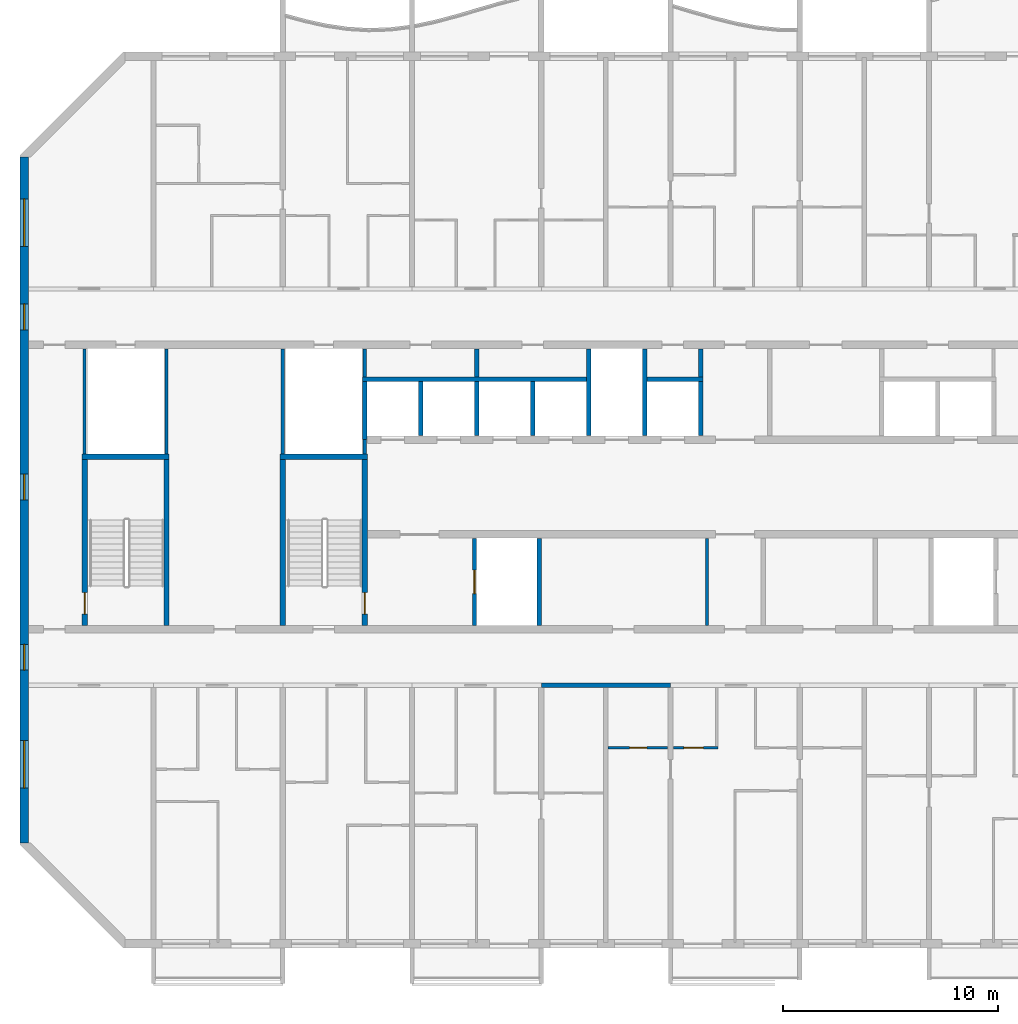
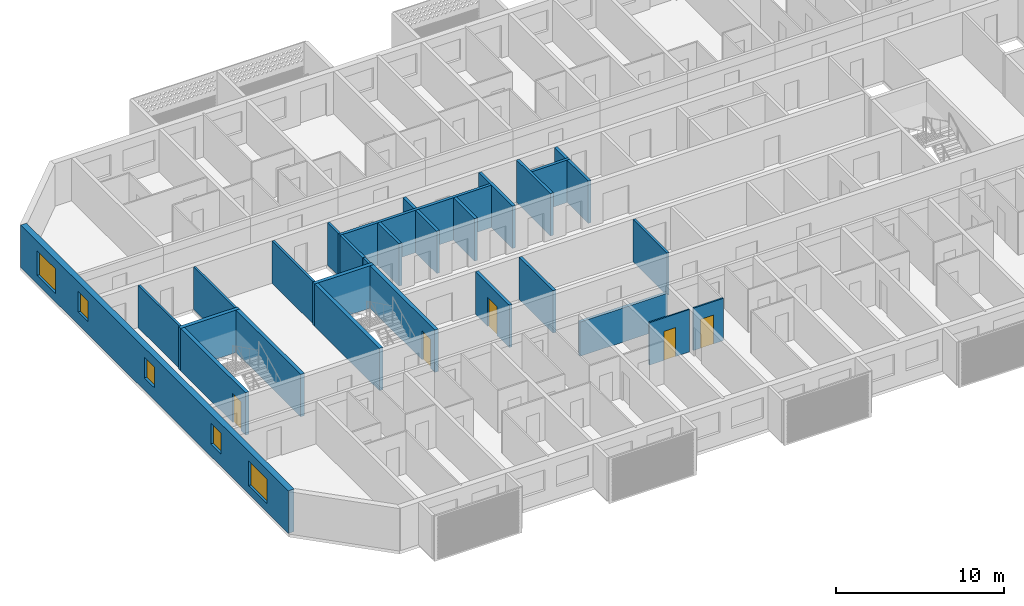
# One storey, part 3 of 26: 29 walls, 5 doors, 5 windows, 10 openings.
"""IFC4 building model written with IfcOpenShell, lengths in metres."""

from ifc_helpers import new_model, si_unit, direction, frame, frame_2d, origin, place, context, subcontext, project, spatial, rectangle, extrude, material, layer, layer_set, type_object, element, fill, save


model = new_model("IFC4")

# Units and contexts
model_context = context("Model", 3, precision=1e-05, world=origin(), true_north=direction((0.0, 1.0)))
body_context = subcontext(model_context, "Body", "Model", "MODEL_VIEW")
ifc_project = project(units=[si_unit("LENGTHUNIT", "METRE"), si_unit("AREAUNIT", "SQUARE_METRE"), si_unit("VOLUMEUNIT", "CUBIC_METRE"), si_unit("PLANEANGLEUNIT", "RADIAN"), si_unit("MASSUNIT", "GRAM", prefix="KILO")], contexts=[model_context])

# Site, building, storey
site_placement = place(None, origin())
site = spatial("IfcSite", under=ifc_project, at=site_placement, CompositionType="ELEMENT")
building_placement = place(site_placement, origin())
building = spatial("IfcBuilding", under=site, at=building_placement, Name="Poui Terraces", CompositionType="ELEMENT")
storey_placement = place(building_placement, frame((0.0, 0.0, 221.39990234375)))
storey = spatial("IfcBuildingStorey", under=building, at=storey_placement, Name="L61", CompositionType="ELEMENT", Elevation=221.39990234375)

# Walls
ifc_material_1 = material(Name="Fire-rated plasterboard wall")
ifc_layer_1 = layer(ifc_material_1, 0.14990234375)
ifc_layer_set_1 = layer_set([ifc_layer_1], Name="Fire-rated plasterboard wall")
wall_type_1 = type_object("IfcWallType", Name="CORRIDOR WALL 150", PredefinedType="PARTITIONING", material=ifc_layer_set_1)
wall_1_placement = place(storey_placement, frame((49.699951171875, 14.784912109375, 0.0), z_axis=(0.0, 0.0, 1.0), x_axis=(0.0, 1.0, 0.0)))
element("IfcWall", 1, at=wall_1_placement, inside=storey, type_object=wall_type_1, Name="CORRIDOR WALL 150", PredefinedType="PARTITIONING", context=body_context, shape_type="SweptSolid", body=[
    extrude(rectangle(XDim=4.030029296875, YDim=0.14990234375, at=frame_2d((2.01513671875, 0.0))), origin(), (0.0, 0.0, 1.0), 3.080078125),
])
ifc_material_2 = material(Name="Concrete 50 MPa", Category="concrete")
ifc_layer_2 = layer(ifc_material_2, 0.199951171875)
ifc_layer_set_2 = layer_set([ifc_layer_2], Name="Concrete 50 MPa")
wall_type_2 = type_object("IfcWallType", Name="CORRIDOR WALL 200 50MPa", PredefinedType="SHEAR", material=ifc_layer_set_2)
wall_2_placement = place(storey_placement, frame((42.0, 12.0, 0.0), z_axis=(0.0, 0.0, 1.0), x_axis=(1.0, 0.0, 0.0)))
element("IfcWall", 2, at=wall_2_placement, inside=storey, type_object=wall_type_2, Name="CORRIDOR WALL LINE B BAY 5", PredefinedType="SHEAR", context=body_context, shape_type="SweptSolid", body=[
    extrude(rectangle(XDim=6.0, YDim=0.199951171875, at=frame_2d((3.0, 0.0))), origin(), (0.0, 0.0, 1.0), 2.47998046875),
])

# Wall, openings, windows
ifc_layer_3 = layer(ifc_material_2, 0.39990234375)
ifc_layer_set_3 = layer_set([ifc_layer_3], Name="Concrete 50 MPa")
wall_type_3 = type_object("IfcWallType", Name="END WALL 400 50MPa", PredefinedType="SHEAR", material=ifc_layer_set_3)
wall_3_placement = place(storey_placement, frame((18.0, 4.682861328125, 0.0), z_axis=(0.0, 0.0, 1.0), x_axis=(0.0, 1.0, 0.0)))
wall_3 = element("IfcWall", 3, at=wall_3_placement, inside=storey, type_object=wall_type_3, Name="END WALL WEST", PredefinedType="SHEAR", context=body_context, shape_type="SweptSolid", body=[
    extrude(rectangle(XDim=31.834228515625, YDim=0.39990234375, at=frame_2d((15.9169921875, 0.0))), origin(), (0.0, 0.0, 1.0), 3.080078125),
])
opening_1_placement = place(wall_3_placement, frame((23.817138671875, 0.0, 0.89990234375)))
opening_1 = element("IfcOpeningElement", 4, at=opening_1_placement, cuts=wall_3, Name="Opening W2", PredefinedType="OPENING", context=body_context, shape_type="SweptSolid", body=[
    extrude(rectangle(XDim=1.199951171875, YDim=1.5, at=frame_2d((0.60009765625, 0.75))), frame((0.0, 0.2099609375, 0.0), z_axis=(0.0, -1.0, 0.0), x_axis=(1.0, 0.0, 0.0)), (0.0, 0.0, 1.0), 0.419921875),
])
opening_2_placement = place(wall_3_placement, frame((8.01708984375, 0.0, 0.89990234375)))
opening_2 = element("IfcOpeningElement", 5, at=opening_2_placement, cuts=wall_3, Name="Opening W2", PredefinedType="OPENING", context=body_context, shape_type="SweptSolid", body=[
    extrude(rectangle(XDim=1.199951171875, YDim=1.5, at=frame_2d((0.60009765625, 0.75))), frame((0.0, 0.2099609375, 0.0), z_axis=(0.0, -1.0, 0.0), x_axis=(1.0, 0.0, 0.0)), (0.0, 0.0, 1.0), 0.419921875),
])
opening_3_placement = place(wall_3_placement, frame((27.693603515625, 0.0, 0.60009765625)))
opening_3 = element("IfcOpeningElement", 6, at=opening_3_placement, cuts=wall_3, Name="Opening W3", PredefinedType="OPENING", context=body_context, shape_type="SweptSolid", body=[
    extrude(rectangle(XDim=2.199951171875, YDim=1.800048828125, at=frame_2d((1.10009765625, 0.89990234375))), frame((0.0, 0.2099609375, 0.0), z_axis=(0.0, -1.0, 0.0), x_axis=(1.0, 0.0, 0.0)), (0.0, 0.0, 1.0), 0.419921875),
])
opening_4_placement = place(wall_3_placement, frame((2.541015625, 0.0, 0.60009765625)))
opening_4 = element("IfcOpeningElement", 7, at=opening_4_placement, cuts=wall_3, Name="Opening W3", PredefinedType="OPENING", context=body_context, shape_type="SweptSolid", body=[
    extrude(rectangle(XDim=2.199951171875, YDim=1.800048828125, at=frame_2d((1.10009765625, 0.89990234375))), frame((0.0, 0.2099609375, 0.0), z_axis=(0.0, -1.0, 0.0), x_axis=(1.0, 0.0, 0.0)), (0.0, 0.0, 1.0), 0.419921875),
])
opening_5_placement = place(wall_3_placement, frame((15.917236328125, 0.0, 0.89990234375)))
opening_5 = element("IfcOpeningElement", 8, at=opening_5_placement, cuts=wall_3, Name="Opening W2", PredefinedType="OPENING", context=body_context, shape_type="SweptSolid", body=[
    extrude(rectangle(XDim=1.199951171875, YDim=1.5, at=frame_2d((0.60009765625, 0.75))), frame((0.0, 0.2099609375, 0.0), z_axis=(0.0, -1.0, 0.0), x_axis=(1.0, 0.0, 0.0)), (0.0, 0.0, 1.0), 0.419921875),
])
ifc_material_3 = material(Name="Clear glass in aluminium frame", Category="aluminium")
window_type_1 = type_object("IfcWindowType", Name="WINDOW 1200X1500", PartitioningType="SINGLE_PANEL", PredefinedType="WINDOW", material=ifc_material_3)
window_1_placement = place(opening_1_placement, origin())
window_1 = element("IfcWindow", 9, at=window_1_placement, inside=storey, type_object=window_type_1, Name="W2 WINDOW", OverallHeight=1.5, OverallWidth=1.199951171875, PartitioningType="SINGLE_PANEL", PredefinedType="WINDOW", context=body_context, shape_type="SweptSolid", body=[
    extrude(rectangle(XDim=1.199951171875, YDim=1.5, at=frame_2d((0.60009765625, 0.75))), frame((0.0, 0.030029296875, 0.0), z_axis=(0.0, -1.0, 0.0), x_axis=(1.0, 0.0, 0.0)), (0.0, 0.0, 1.0), 0.06005859375),
])
fill(opening_1, window_1)
window_2_placement = place(opening_2_placement, origin())
window_2 = element("IfcWindow", 10, at=window_2_placement, inside=storey, type_object=window_type_1, Name="W2 WINDOW", OverallHeight=1.5, OverallWidth=1.199951171875, PartitioningType="SINGLE_PANEL", PredefinedType="WINDOW", context=body_context, shape_type="SweptSolid", body=[
    extrude(rectangle(XDim=1.199951171875, YDim=1.5, at=frame_2d((0.60009765625, 0.75))), frame((0.0, 0.030029296875, 0.0), z_axis=(0.0, -1.0, 0.0), x_axis=(1.0, 0.0, 0.0)), (0.0, 0.0, 1.0), 0.06005859375),
])
fill(opening_2, window_2)
window_3_placement = place(opening_5_placement, origin())
window_3 = element("IfcWindow", 11, at=window_3_placement, inside=storey, type_object=window_type_1, Name="W2 WINDOW", OverallHeight=1.5, OverallWidth=1.199951171875, PartitioningType="SINGLE_PANEL", PredefinedType="WINDOW", context=body_context, shape_type="SweptSolid", body=[
    extrude(rectangle(XDim=1.199951171875, YDim=1.5, at=frame_2d((0.60009765625, 0.75))), frame((0.0, 0.030029296875, 0.0), z_axis=(0.0, -1.0, 0.0), x_axis=(1.0, 0.0, 0.0)), (0.0, 0.0, 1.0), 0.06005859375),
])
fill(opening_5, window_3)
window_type_2 = type_object("IfcWindowType", Name="WINDOW 2200X1800", PartitioningType="DOUBLE_PANEL_HORIZONTAL", PredefinedType="WINDOW", material=ifc_material_3)
window_4_placement = place(opening_3_placement, origin())
window_4 = element("IfcWindow", 12, at=window_4_placement, inside=storey, type_object=window_type_2, Name="W3 WINDOW", OverallHeight=1.800048828125, OverallWidth=2.199951171875, PartitioningType="DOUBLE_PANEL_HORIZONTAL", PredefinedType="WINDOW", context=body_context, shape_type="SweptSolid", body=[
    extrude(rectangle(XDim=2.199951171875, YDim=1.800048828125, at=frame_2d((1.10009765625, 0.89990234375))), frame((0.0, 0.030029296875, 0.0), z_axis=(0.0, -1.0, 0.0), x_axis=(1.0, 0.0, 0.0)), (0.0, 0.0, 1.0), 0.06005859375),
])
fill(opening_3, window_4)
window_5_placement = place(opening_4_placement, origin())
window_5 = element("IfcWindow", 13, at=window_5_placement, inside=storey, type_object=window_type_2, Name="W3 WINDOW", OverallHeight=1.800048828125, OverallWidth=2.199951171875, PartitioningType="DOUBLE_PANEL_HORIZONTAL", PredefinedType="WINDOW", context=body_context, shape_type="SweptSolid", body=[
    extrude(rectangle(XDim=2.199951171875, YDim=1.800048828125, at=frame_2d((1.10009765625, 0.89990234375))), frame((0.0, 0.030029296875, 0.0), z_axis=(0.0, -1.0, 0.0), x_axis=(1.0, 0.0, 0.0)), (0.0, 0.0, 1.0), 0.06005859375),
])
fill(opening_4, window_5)

# Wall, opening, door
ifc_material_4 = material(Name="Plasterboard partition")
ifc_layer_4 = layer(ifc_material_4, 0.10009765625)
ifc_layer_set_4 = layer_set([ifc_layer_4], Name="Plasterboard partition")
wall_type_4 = type_object("IfcWallType", Name="FLAT PARTITION 100", PredefinedType="PARTITIONING", material=ifc_layer_set_4)
wall_4_placement = place(storey_placement, frame((45.10009765625, 9.10009765625, 0.0), z_axis=(0.0, 0.0, 1.0), x_axis=(1.0, 0.0, 0.0)))
wall_4 = element("IfcWall", 14, at=wall_4_placement, inside=storey, type_object=wall_type_4, Name="FLAT PARTITION 100", PredefinedType="PARTITIONING", context=body_context, shape_type="SweptSolid", body=[
    extrude(rectangle(XDim=2.764892578125, YDim=0.10009765625, at=frame_2d((1.38232421875, 0.0))), origin(), (0.0, 0.0, 1.0), 3.080078125),
])
opening_6_placement = place(wall_4_placement, frame((1.0, 0.0, 0.0)))
opening_6 = element("IfcOpeningElement", 15, at=opening_6_placement, cuts=wall_4, Name="Opening D80", PredefinedType="OPENING", context=body_context, shape_type="SweptSolid", body=[
    extrude(rectangle(XDim=0.800048828125, YDim=2.10009765625, at=frame_2d((0.39990234375, 1.050048828125))), frame((0.0, 0.06005859375, 0.0), z_axis=(0.0, -1.0, 0.0), x_axis=(1.0, 0.0, 0.0)), (0.0, 0.0, 1.0), 0.1201171875),
])
ifc_material_5 = material(Name="Solid core timber door", Category="wood")
door_type_1 = type_object("IfcDoorType", Name="BATHROOM, LAUNDRY AND STORE DOOR 800 X 2100", OperationType="NOTDEFINED", PredefinedType="DOOR", material=ifc_material_5)
door_1_placement = place(opening_6_placement, origin())
door_1 = element("IfcDoor", 16, at=door_1_placement, inside=storey, type_object=door_type_1, Name="BATHROOM, LAUNDRY AND STORE DOOR 073", OperationType="SINGLE_SWING_LEFT", OverallHeight=2.10009765625, OverallWidth=0.800048828125, PredefinedType="DOOR", context=body_context, shape_type="SweptSolid", body=[
    extrude(rectangle(XDim=0.800048828125, YDim=2.10009765625, at=frame_2d((0.39990234375, 1.050048828125))), frame((0.0, 0.02490234375, 0.0), z_axis=(0.0, -1.0, 0.0), x_axis=(1.0, 0.0, 0.0)), (0.0, 0.0, 1.0), 0.050048828125),
])
fill(opening_6, door_1)

wall_5_placement = place(storey_placement, frame((48.135009765625, 9.10009765625, 0.0), z_axis=(0.0, 0.0, 1.0), x_axis=(1.0, 0.0, 0.0)))
wall_5 = element("IfcWall", 17, at=wall_5_placement, inside=storey, type_object=wall_type_4, Name="FLAT PARTITION 100", PredefinedType="PARTITIONING", context=body_context, shape_type="SweptSolid", body=[
    extrude(rectangle(XDim=2.06494140625, YDim=0.10009765625, at=frame_2d((1.032470703125, 0.0))), origin(), (0.0, 0.0, 1.0), 3.080078125),
])
opening_7_placement = place(wall_5_placement, frame((0.489990234375, 0.0, 0.0)))
opening_7 = element("IfcOpeningElement", 18, at=opening_7_placement, cuts=wall_5, Name="Opening D90", PredefinedType="OPENING", context=body_context, shape_type="SweptSolid", body=[
    extrude(rectangle(XDim=0.89990234375, YDim=2.10009765625, at=frame_2d((0.449951171875, 1.050048828125))), frame((0.0, 0.06005859375, 0.0), z_axis=(0.0, -1.0, 0.0), x_axis=(1.0, 0.0, 0.0)), (0.0, 0.0, 1.0), 0.1201171875),
])
door_type_2 = type_object("IfcDoorType", Name="INTERNAL DOOR 900 X 2100", OperationType="NOTDEFINED", PredefinedType="DOOR", material=ifc_material_5)
door_2_placement = place(opening_7_placement, origin())
door_2 = element("IfcDoor", 19, at=door_2_placement, inside=storey, type_object=door_type_2, Name="INTERNAL DOOR 076", OperationType="SINGLE_SWING_LEFT", OverallHeight=2.10009765625, OverallWidth=0.89990234375, PredefinedType="DOOR", context=body_context, shape_type="SweptSolid", body=[
    extrude(rectangle(XDim=0.89990234375, YDim=2.10009765625, at=frame_2d((0.449951171875, 1.050048828125))), frame((0.0, 0.02490234375, 0.0), z_axis=(0.0, -1.0, 0.0), x_axis=(1.0, 0.0, 0.0)), (0.0, 0.0, 1.0), 0.050048828125),
])
fill(opening_7, door_2)

# Walls
ifc_material_6 = material(Name="Fire-rated masonry wall", Category="masonry")
ifc_layer_5 = layer(ifc_material_6, 0.199951171875)
ifc_layer_set_5 = layer_set([ifc_layer_5], Name="Fire-rated masonry wall")
wall_type_5 = type_object("IfcWallType", Name="PLANT ROOM WALL 200", PredefinedType="PARTITIONING", material=ifc_layer_set_5)
for number, where, z_axis, x_axis, name in (
    (20, (39.0, 26.300048828125, 0.0), (0.0, 0.0, 1.0), (0.0, 1.0, 0.0), "PLANT ROOM WALL 200"),
    (21, (49.39990234375, 26.300048828125, 0.0), (0.0, 0.0, 1.0), (0.0, 1.0, 0.0), "PLANT ROOM WALL 200"),
):
    element("IfcWall", number, at=place(storey_placement, frame(where, z_axis=z_axis, x_axis=x_axis)), inside=storey, type_object=wall_type_5, Name=name, PredefinedType="PARTITIONING", context=body_context, shape_type="SweptSolid", body=[
        extrude(rectangle(XDim=1.31494140625, YDim=0.199951171875, at=frame_2d((0.657470703125, 0.0))), origin(), (0.0, 0.0, 1.0), 3.080078125),
    ])
ifc_material_7 = material(Name="Fire-rated plasterboard riser wall")
ifc_layer_6 = layer(ifc_material_7, 0.14990234375)
ifc_layer_set_6 = layer_set([ifc_layer_6], Name="Fire-rated plasterboard riser wall")
wall_type_6 = type_object("IfcWallType", Name="RISER WALL 150", PredefinedType="PARTITIONING", material=ifc_layer_set_6)
for number, where, z_axis, x_axis, name in (
    (22, (20.800048828125, 22.735107421875, 0.0), (0.0, 0.0, 1.0), (0.0, 1.0, 0.0), "RISER WALL 150"),
    (23, (24.60009765625, 22.735107421875, 0.0), (0.0, 0.0, 1.0), (0.0, 1.0, 0.0), "RISER WALL 150"),
    (24, (30.0, 22.735107421875, 0.0), (0.0, 0.0, 1.0), (0.0, 1.0, 0.0), "RISER WALL 150"),
):
    element("IfcWall", number, at=place(storey_placement, frame(where, z_axis=z_axis, x_axis=x_axis)), inside=storey, type_object=wall_type_6, Name=name, PredefinedType="PARTITIONING", context=body_context, shape_type="SweptSolid", body=[
        extrude(rectangle(XDim=4.8798828125, YDim=0.14990234375, at=frame_2d((2.43994140625, 0.0))), origin(), (0.0, 0.0, 1.0), 3.080078125),
    ])
wall_6_placement = place(storey_placement, frame((33.800048828125, 22.735107421875, 0.0), z_axis=(0.0, 0.0, 1.0), x_axis=(0.0, 1.0, 0.0)))
element("IfcWall", 25, at=wall_6_placement, inside=storey, type_object=wall_type_6, Name="RISER WALL 150", PredefinedType="PARTITIONING", context=body_context, shape_type="SweptSolid", body=[
    extrude(rectangle(XDim=0.664794921875, YDim=0.14990234375, at=frame_2d((0.33251953125, 0.0))), origin(), (0.0, 0.0, 1.0), 3.080078125),
])
wall_7_placement = place(storey_placement, frame((33.800048828125, 26.300048828125, 0.0), z_axis=(0.0, 0.0, 1.0), x_axis=(0.0, 1.0, 0.0)))
element("IfcWall", 26, at=wall_7_placement, inside=storey, type_object=wall_type_6, Name="RISER WALL 150", PredefinedType="PARTITIONING", context=body_context, shape_type="SweptSolid", body=[
    extrude(rectangle(XDim=1.31494140625, YDim=0.14990234375, at=frame_2d((0.657470703125, 0.0))), origin(), (0.0, 0.0, 1.0), 3.080078125),
])
ifc_material_8 = material(Name="Fire-rated masonry shaft wall", Category="masonry")
ifc_layer_7 = layer(ifc_material_8, 0.199951171875)
ifc_layer_set_7 = layer_set([ifc_layer_7], Name="Fire-rated masonry shaft wall")
wall_type_7 = type_object("IfcWallType", Name="SHAFT WALL 200", PredefinedType="PARTITIONING", material=ifc_layer_set_7)
wall_8_placement = place(storey_placement, frame((33.699951171875, 26.199951171875, 0.0), z_axis=(0.0, 0.0, 1.0), x_axis=(1.0, 0.0, 0.0)))
element("IfcWall", 27, at=wall_8_placement, inside=storey, type_object=wall_type_7, Name="SHAFT WALL 200", PredefinedType="PARTITIONING", context=body_context, shape_type="SweptSolid", body=[
    extrude(rectangle(XDim=10.400146484375, YDim=0.199951171875, at=frame_2d((5.2001953125, 0.0))), origin(), (0.0, 0.0, 1.0), 3.080078125),
])
wall_9_placement = place(storey_placement, frame((46.89990234375, 26.199951171875, 0.0), z_axis=(0.0, 0.0, 1.0), x_axis=(1.0, 0.0, 0.0)))
element("IfcWall", 28, at=wall_9_placement, inside=storey, type_object=wall_type_7, Name="SHAFT WALL 200", PredefinedType="PARTITIONING", context=body_context, shape_type="SweptSolid", body=[
    extrude(rectangle(XDim=2.60009765625, YDim=0.199951171875, at=frame_2d((1.300048828125, 0.0))), origin(), (0.0, 0.0, 1.0), 3.080078125),
])
wall_10_placement = place(storey_placement, frame((33.800048828125, 23.39990234375, 0.0), z_axis=(0.0, 0.0, 1.0), x_axis=(0.0, 1.0, 0.0)))
element("IfcWall", 29, at=wall_10_placement, inside=storey, type_object=wall_type_7, Name="SHAFT WALL 200", PredefinedType="PARTITIONING", context=body_context, shape_type="SweptSolid", body=[
    extrude(rectangle(XDim=2.7001953125, YDim=0.199951171875, at=frame_2d((1.35009765625, 0.0))), origin(), (0.0, 0.0, 1.0), 3.080078125),
])
wall_11_placement = place(storey_placement, frame((36.39990234375, 23.5849609375, 0.0), z_axis=(0.0, 0.0, 1.0), x_axis=(0.0, 1.0, 0.0)))
element("IfcWall", 30, at=wall_11_placement, inside=storey, type_object=wall_type_7, Name="SHAFT WALL 200", PredefinedType="PARTITIONING", context=body_context, shape_type="SweptSolid", body=[
    extrude(rectangle(XDim=2.51513671875, YDim=0.199951171875, at=frame_2d((1.257568359375, 0.0))), origin(), (0.0, 0.0, 1.0), 3.080078125),
])

# Wall, opening, door
wall_12_placement = place(storey_placement, frame((38.89990234375, 14.784912109375, 0.0), z_axis=(0.0, 0.0, 1.0), x_axis=(0.0, 1.0, 0.0)))
wall_12 = element("IfcWall", 31, at=wall_12_placement, inside=storey, type_object=wall_type_7, Name="SHAFT WALL 200", PredefinedType="PARTITIONING", context=body_context, shape_type="SweptSolid", body=[
    extrude(rectangle(XDim=4.030029296875, YDim=0.199951171875, at=frame_2d((2.01513671875, 0.0))), origin(), (0.0, 0.0, 1.0), 3.080078125),
])
opening_8_placement = place(wall_12_placement, frame((1.465087890625, 0.0, 0.0)))
opening_8 = element("IfcOpeningElement", 32, at=opening_8_placement, cuts=wall_12, Name="Opening LD", PredefinedType="OPENING", context=body_context, shape_type="SweptSolid", body=[
    extrude(rectangle(XDim=1.10009765625, YDim=2.10009765625, at=frame_2d((0.550048828125, 1.050048828125))), frame((0.0, 0.10986328125, 0.0), z_axis=(0.0, -1.0, 0.0), x_axis=(1.0, 0.0, 0.0)), (0.0, 0.0, 1.0), 0.219970703125),
])
ifc_material_9 = material(Name="Stainless steel sliding door", Category="steel")
door_type_3 = type_object("IfcDoorType", Name="LIFT LANDING DOOR 1100 X 2100", OperationType="DOUBLE_DOOR_SLIDING", PredefinedType="DOOR", material=ifc_material_9)
door_3_placement = place(opening_8_placement, origin())
door_3 = element("IfcDoor", 33, at=door_3_placement, inside=storey, type_object=door_type_3, Name="LANDING DOOR", OperationType="DOUBLE_DOOR_SLIDING", OverallHeight=2.10009765625, OverallWidth=1.10009765625, PredefinedType="DOOR", context=body_context, shape_type="SweptSolid", body=[
    extrude(rectangle(XDim=1.10009765625, YDim=2.10009765625, at=frame_2d((0.550048828125, 1.050048828125))), frame((0.0, 0.02490234375, 0.0), z_axis=(0.0, -1.0, 0.0), x_axis=(1.0, 0.0, 0.0)), (0.0, 0.0, 1.0), 0.050048828125),
])
fill(opening_8, door_3)

# Walls
for number, where, z_axis, x_axis, name in (
    (34, (39.0, 23.5849609375, 0.0), (0.0, 0.0, 1.0), (0.0, 1.0, 0.0), "SHAFT WALL 200"),
    (35, (41.60009765625, 23.5849609375, 0.0), (0.0, 0.0, 1.0), (0.0, 1.0, 0.0), "SHAFT WALL 200"),
):
    element("IfcWall", number, at=place(storey_placement, frame(where, z_axis=z_axis, x_axis=x_axis)), inside=storey, type_object=wall_type_7, Name=name, PredefinedType="PARTITIONING", context=body_context, shape_type="SweptSolid", body=[
        extrude(rectangle(XDim=2.51513671875, YDim=0.199951171875, at=frame_2d((1.257568359375, 0.0))), origin(), (0.0, 0.0, 1.0), 3.080078125),
    ])
for number, where, z_axis, x_axis, name in (
    (36, (41.89990234375, 14.784912109375, 0.0), (0.0, 0.0, 1.0), (0.0, 1.0, 0.0), "SHAFT WALL 200"),
    (37, (44.199951171875, 23.5849609375, 0.0), (0.0, 0.0, 1.0), (0.0, 1.0, 0.0), "SHAFT WALL 200"),
    (38, (46.800048828125, 23.5849609375, 0.0), (0.0, 0.0, 1.0), (0.0, 1.0, 0.0), "SHAFT WALL 200"),
):
    element("IfcWall", number, at=place(storey_placement, frame(where, z_axis=z_axis, x_axis=x_axis)), inside=storey, type_object=wall_type_7, Name=name, PredefinedType="PARTITIONING", context=body_context, shape_type="SweptSolid", body=[
        extrude(rectangle(XDim=4.030029296875, YDim=0.199951171875, at=frame_2d((2.01513671875, 0.0))), origin(), (0.0, 0.0, 1.0), 3.080078125),
    ])
wall_13_placement = place(storey_placement, frame((49.39990234375, 23.5849609375, 0.0), z_axis=(0.0, 0.0, 1.0), x_axis=(0.0, 1.0, 0.0)))
element("IfcWall", 39, at=wall_13_placement, inside=storey, type_object=wall_type_7, Name="SHAFT WALL 200", PredefinedType="PARTITIONING", context=body_context, shape_type="SweptSolid", body=[
    extrude(rectangle(XDim=2.51513671875, YDim=0.199951171875, at=frame_2d((1.257568359375, 0.0))), origin(), (0.0, 0.0, 1.0), 3.080078125),
])
ifc_layer_8 = layer(ifc_material_2, 0.25)
ifc_layer_set_8 = layer_set([ifc_layer_8], Name="Concrete 50 MPa")
wall_type_8 = type_object("IfcWallType", Name="STAIR CORE WALL 250 50 MPA", PredefinedType="SOLIDWALL", material=ifc_layer_set_8)
wall_14_placement = place(storey_placement, frame((30.0, 14.77490234375, 0.0), z_axis=(0.0, 0.0, 1.0), x_axis=(0.0, 1.0, 0.0)))
element("IfcWall", 40, at=wall_14_placement, inside=storey, type_object=wall_type_8, Name="STAIR CORE WALL", PredefinedType="SOLIDWALL", context=body_context, shape_type="SweptSolid", body=[
    extrude(rectangle(XDim=7.7001953125, YDim=0.25, at=frame_2d((3.85009765625, 0.0))), origin(), (0.0, 0.0, 1.0), 3.080078125),
])

# Wall, opening, door
wall_15_placement = place(storey_placement, frame((33.800048828125, 14.77490234375, 0.0), z_axis=(0.0, 0.0, 1.0), x_axis=(0.0, 1.0, 0.0)))
wall_15 = element("IfcWall", 41, at=wall_15_placement, inside=storey, type_object=wall_type_8, Name="STAIR CORE WALL", PredefinedType="SOLIDWALL", context=body_context, shape_type="SweptSolid", body=[
    extrude(rectangle(XDim=7.7001953125, YDim=0.25, at=frame_2d((3.85009765625, 0.0))), origin(), (0.0, 0.0, 1.0), 3.080078125),
])
opening_9_placement = place(wall_15_placement, frame((0.52490234375, 0.0, 0.0)))
opening_9 = element("IfcOpeningElement", 42, at=opening_9_placement, cuts=wall_15, Name="Opening FD60S", PredefinedType="OPENING", context=body_context, shape_type="SweptSolid", body=[
    extrude(rectangle(XDim=1.0, YDim=2.10009765625, at=frame_2d((0.5, 1.050048828125))), frame((0.0, 0.135009765625, 0.0), z_axis=(0.0, -1.0, 0.0), x_axis=(1.0, 0.0, 0.0)), (0.0, 0.0, 1.0), 0.27001953125),
])
ifc_material_10 = material(Name="Steel fire door", Category="steel")
door_type_4 = type_object("IfcDoorType", Name="STAIR DOOR 1000 X 2100", OperationType="NOTDEFINED", PredefinedType="DOOR", material=ifc_material_10)
door_4_placement = place(opening_9_placement, origin())
door_4 = element("IfcDoor", 43, at=door_4_placement, inside=storey, type_object=door_type_4, Name="STAIR DOOR 097", OperationType="SINGLE_SWING_LEFT", OverallHeight=2.10009765625, OverallWidth=1.0, PredefinedType="DOOR", context=body_context, shape_type="SweptSolid", body=[
    extrude(rectangle(XDim=1.0, YDim=2.10009765625, at=frame_2d((0.5, 1.050048828125))), frame((0.0, 0.02490234375, 0.0), z_axis=(0.0, -1.0, 0.0), x_axis=(1.0, 0.0, 0.0)), (0.0, 0.0, 1.0), 0.050048828125),
])
fill(opening_9, door_4)

# Wall
wall_16_placement = place(storey_placement, frame((29.875, 22.60009765625, 0.0), z_axis=(0.0, 0.0, 1.0), x_axis=(1.0, 0.0, 0.0)))
element("IfcWall", 44, at=wall_16_placement, inside=storey, type_object=wall_type_8, Name="STAIR CORE WALL", PredefinedType="SOLIDWALL", context=body_context, shape_type="SweptSolid", body=[
    extrude(rectangle(XDim=4.050048828125, YDim=0.25, at=frame_2d((2.02490234375, 0.0))), origin(), (0.0, 0.0, 1.0), 3.080078125),
])

# Wall, opening, door
wall_17_placement = place(storey_placement, frame((20.800048828125, 14.77490234375, 0.0), z_axis=(0.0, 0.0, 1.0), x_axis=(0.0, 1.0, 0.0)))
wall_17 = element("IfcWall", 45, at=wall_17_placement, inside=storey, type_object=wall_type_8, Name="STAIR CORE WALL", PredefinedType="SOLIDWALL", context=body_context, shape_type="SweptSolid", body=[
    extrude(rectangle(XDim=7.7001953125, YDim=0.25, at=frame_2d((3.85009765625, 0.0))), origin(), (0.0, 0.0, 1.0), 3.080078125),
])
opening_10_placement = place(wall_17_placement, frame((0.52490234375, 0.0, 0.0)))
opening_10 = element("IfcOpeningElement", 46, at=opening_10_placement, cuts=wall_17, Name="Opening FD60S", PredefinedType="OPENING", context=body_context, shape_type="SweptSolid", body=[
    extrude(rectangle(XDim=1.0, YDim=2.10009765625, at=frame_2d((0.5, 1.050048828125))), frame((0.0, 0.135009765625, 0.0), z_axis=(0.0, -1.0, 0.0), x_axis=(1.0, 0.0, 0.0)), (0.0, 0.0, 1.0), 0.27001953125),
])
door_5_placement = place(opening_10_placement, frame((1.0, 0.0, 0.0), z_axis=(0.0, 0.0, 1.0), x_axis=(-1.0, 0.0, 0.0)))
door_5 = element("IfcDoor", 47, at=door_5_placement, inside=storey, type_object=door_type_4, Name="STAIR DOOR 111", OperationType="SINGLE_SWING_RIGHT", OverallHeight=2.10009765625, OverallWidth=1.0, PredefinedType="DOOR", context=body_context, shape_type="SweptSolid", body=[
    extrude(rectangle(XDim=1.0, YDim=2.10009765625, at=frame_2d((0.5, 1.050048828125))), frame((0.0, 0.02490234375, 0.0), z_axis=(0.0, -1.0, 0.0), x_axis=(1.0, 0.0, 0.0)), (0.0, 0.0, 1.0), 0.050048828125),
])
fill(opening_10, door_5)

# Walls
wall_18_placement = place(storey_placement, frame((24.60009765625, 14.77490234375, 0.0), z_axis=(0.0, 0.0, 1.0), x_axis=(0.0, 1.0, 0.0)))
element("IfcWall", 48, at=wall_18_placement, inside=storey, type_object=wall_type_8, Name="STAIR CORE WALL", PredefinedType="SOLIDWALL", context=body_context, shape_type="SweptSolid", body=[
    extrude(rectangle(XDim=7.7001953125, YDim=0.25, at=frame_2d((3.85009765625, 0.0))), origin(), (0.0, 0.0, 1.0), 3.080078125),
])
wall_19_placement = place(storey_placement, frame((20.675048828125, 22.60009765625, 0.0), z_axis=(0.0, 0.0, 1.0), x_axis=(1.0, 0.0, 0.0)))
element("IfcWall", 49, at=wall_19_placement, inside=storey, type_object=wall_type_8, Name="STAIR CORE WALL", PredefinedType="SOLIDWALL", context=body_context, shape_type="SweptSolid", body=[
    extrude(rectangle(XDim=4.050048828125, YDim=0.25, at=frame_2d((2.02490234375, 0.0))), origin(), (0.0, 0.0, 1.0), 3.080078125),
])

save(model, "model.ifc")
